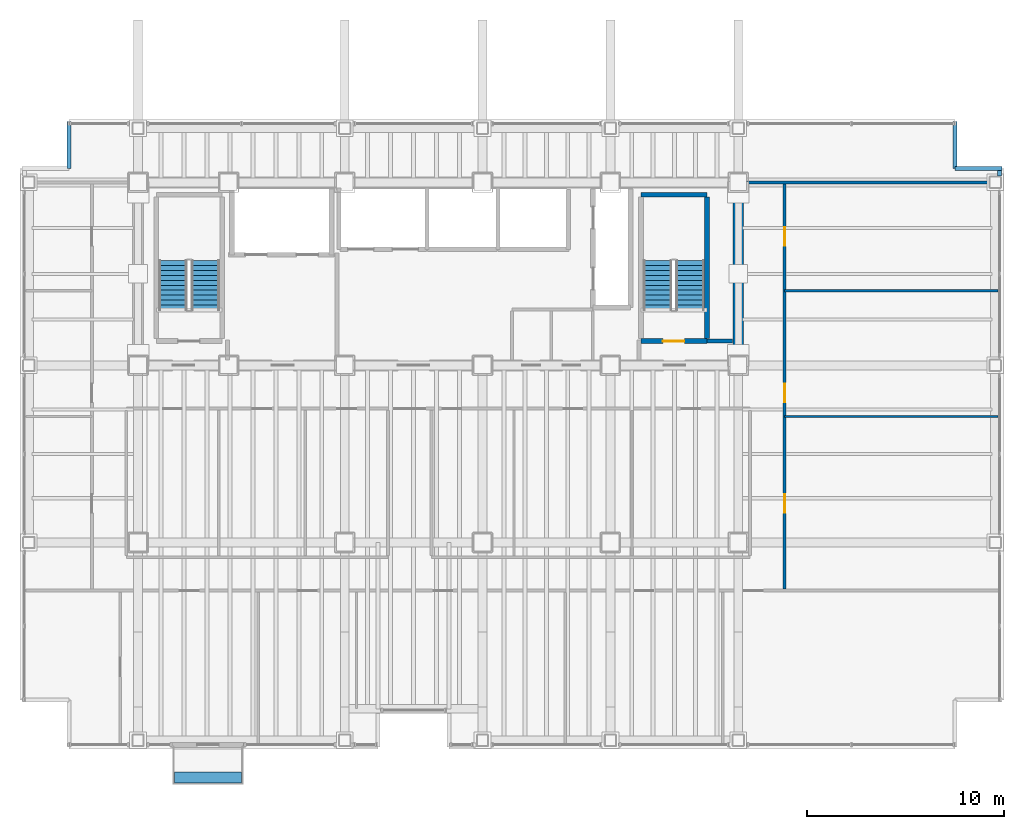
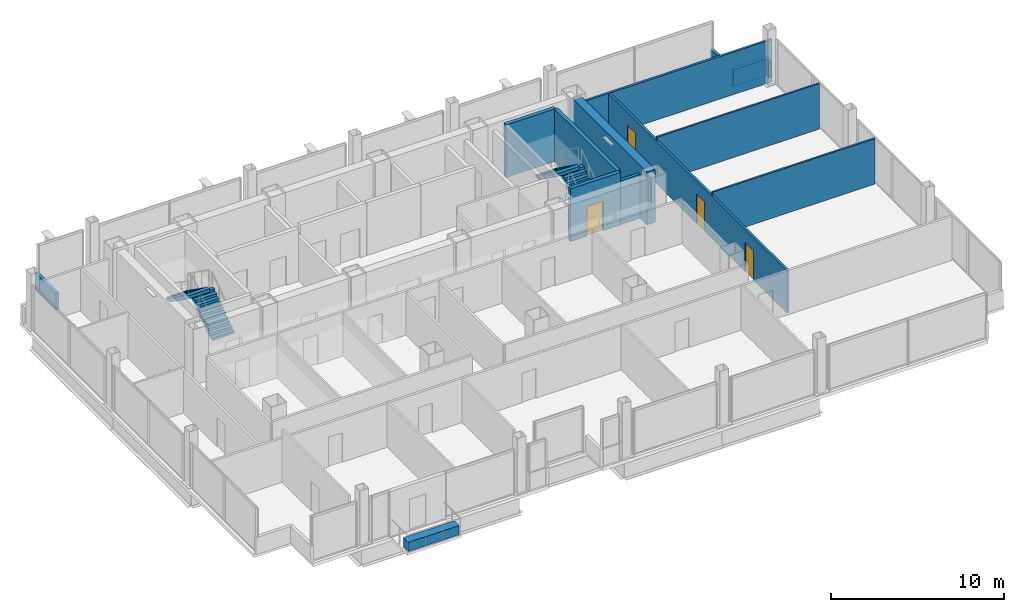
# One storey, part 20 of 21: 13 walls, 4 doors, 4 stair flights, 1 discrete accessory, 4 openings, 2 elements without a shape of their own.
"""IFC4 building model written with IfcOpenShell, lengths in metres."""

from ifc_helpers import new_model, si_unit, direction, frame, frame_2d, origin, origin_2d, place, context, subcontext, project, spatial, polyline, rectangle, outline, extrude, material, layer, layer_set, type_object, element, fill, aggregate, save


model = new_model("IFC4")

# Units and contexts
model_context = context("Model", 3, precision=1e-05, world=origin(), true_north=direction((0.0, 1.0)))
body_context = subcontext(model_context, "Body", "Model", "MODEL_VIEW")
ifc_project = project(units=[si_unit("LENGTHUNIT", "METRE"), si_unit("AREAUNIT", "SQUARE_METRE"), si_unit("VOLUMEUNIT", "CUBIC_METRE"), si_unit("PLANEANGLEUNIT", "RADIAN"), si_unit("MASSUNIT", "GRAM", prefix="KILO")], contexts=[model_context])

# Site, building, storey
site_placement = place(None, origin())
site = spatial("IfcSite", under=ifc_project, at=site_placement, CompositionType="ELEMENT")
building_placement = place(site_placement, origin())
building = spatial("IfcBuilding", under=site, at=building_placement, Name="Noeulbin Bourse Tower", CompositionType="ELEMENT")
storey_placement = place(building_placement, frame((0.0, 0.0, 81.10009765625)))
storey = spatial("IfcBuildingStorey", under=building, at=storey_placement, Name="L20", CompositionType="ELEMENT", Elevation=81.10009765625)

# Walls
ifc_material_1 = material(Name="Concrete C60/75", Category="concrete")
ifc_layer_1 = layer(ifc_material_1, 0.550048828125)
ifc_layer_set_1 = layer_set([ifc_layer_1], Name="Concrete C60/75")
wall_type_1 = type_object("IfcWallType", Name="WAL-CORE-550", PredefinedType="SHEAR", material=ifc_layer_set_1)
wall_1_placement = place(storey_placement, frame((44.0, 29.35009765625, 0.0), z_axis=(0.0, 0.0, 1.0), x_axis=(0.0, 1.0, 0.0)))
element("IfcWall", 1, at=wall_1_placement, inside=storey, type_object=wall_type_1, Name="Rear Core East Shear Wall L20", PredefinedType="SHEAR", context=body_context, shape_type="SweptSolid", body=[
    extrude(rectangle(XDim=8.599853515625, YDim=0.550048828125, at=frame_2d((4.2998046875, 0.0))), origin(), (0.0, 0.0, 1.0), 3.719970703125),
])
ifc_material_2 = material(Name="Concrete C40/50", Category="concrete")
ifc_layer_2 = layer(ifc_material_2, 0.199951171875)
ifc_layer_set_2 = layer_set([ifc_layer_2], Name="Concrete C40/50")
wall_type_2 = type_object("IfcWallType", Name="WAL-FIRE-200", PredefinedType="STANDARD", material=ifc_layer_set_2)
wall_2_placement = place(storey_placement, frame((42.39990234375, 30.239990234375, 0.0), z_axis=(0.0, 0.0, 1.0), x_axis=(1.0, 0.0, 0.0)))
element("IfcWall", 2, at=wall_2_placement, inside=storey, type_object=wall_type_2, Name="Interior Partition Wall L20-01", PredefinedType="STANDARD", context=body_context, shape_type="SweptSolid", body=[
    extrude(rectangle(XDim=1.315185546875, YDim=0.199951171875, at=frame_2d((0.65771484375, 0.0))), origin(), (0.0, 0.0, 1.0), 3.099853515625),
])
ifc_layer_3 = layer(ifc_material_2, 0.199951171875)
ifc_layer_set_3 = layer_set([ifc_layer_3], Name="Concrete C40/50")
wall_type_3 = type_object("IfcWallType", Name="WAL-PAR-200", PredefinedType="PARAPET", material=ifc_layer_set_3)
wall_3_placement = place(storey_placement, frame((57.280029296875, 38.6201171875, 0.0), z_axis=(0.0, 0.0, 1.0), x_axis=(0.0, 1.0, 0.0)))
element("IfcWall", 3, at=wall_3_placement, inside=storey, type_object=wall_type_3, Name="Perimeter Pier Spandrel Parapet L20-E2", PredefinedType="PARAPET", context=body_context, shape_type="SweptSolid", body=[
    extrude(rectangle(XDim=0.27978515625, YDim=0.199951171875, at=frame_2d((0.139892578125, 0.0))), origin(), (0.0, 0.0, 1.0), 1.199951171875),
])
for number, where, z_axis, x_axis, name in (
    (4, (10.0, 39.0, 0.0), (0.0, 0.0, 1.0), (0.0, 1.0, 0.0), "Corner Notch Parapet L20-NW2"),
    (5, (55.0, 41.39990234375, 0.0), (0.0, 0.0, 1.0), (0.0, -1.0, 0.0), "Corner Notch Parapet L20-NE1"),
    (6, (55.0, 39.0, 0.0), (0.0, 0.0, 1.0), (1.0, 0.0, 0.0), "Corner Notch Parapet L20-NE2"),
):
    element("IfcWall", number, at=place(storey_placement, frame(where, z_axis=z_axis, x_axis=x_axis)), inside=storey, type_object=wall_type_3, Name=name, PredefinedType="PARAPET", context=body_context, shape_type="SweptSolid", body=[
        extrude(rectangle(XDim=2.39990234375, YDim=0.199951171875, at=frame_2d((1.199951171875, 0.0))), origin(), (0.0, 0.0, 1.0), 1.199951171875),
    ])
ifc_material_3 = material(Name="Steel Stud Gypsum Partition", Category="steel")
ifc_layer_4 = layer(ifc_material_3, 0.1201171875)
ifc_layer_set_4 = layer_set([ifc_layer_4], Name="Steel Stud Gypsum Partition")
wall_type_4 = type_object("IfcWallType", Name="WAL-PRT-120", PredefinedType="PARTITIONING", material=ifc_layer_set_4)
for number, where, z_axis, x_axis, name in (
    (7, (46.35009765625, 26.39990234375, 0.0), (0.0, 0.0, 1.0), (1.0, 0.0, 0.0), "Interior Partition Wall L20-11"),
    (8, (46.35009765625, 32.800048828125, 0.0), (0.0, 0.0, 1.0), (1.0, 0.0, 0.0), "Interior Partition Wall L20-12"),
):
    element("IfcWall", number, at=place(storey_placement, frame(where, z_axis=z_axis, x_axis=x_axis)), inside=storey, type_object=wall_type_4, Name=name, PredefinedType="PARTITIONING", context=body_context, shape_type="SweptSolid", body=[
        extrude(rectangle(XDim=10.83984375, YDim=0.1201171875, at=frame_2d((5.419921875, 0.0))), origin(), (0.0, 0.0, 1.0), 3.2119140625),
    ])
ifc_material_4 = material(Name="Steel Stud Acoustic Gypsum Board", Category="steel")
ifc_layer_5 = layer(ifc_material_4, 0.14990234375)
ifc_layer_set_5 = layer_set([ifc_layer_5], Name="Steel Stud Acoustic Gypsum Board")
wall_type_5 = type_object("IfcWallType", Name="WAL-PRT-150", PredefinedType="PARTITIONING", material=ifc_layer_set_5)
wall_4_placement = place(storey_placement, frame((44.0, 38.300048828125, 0.0), z_axis=(0.0, 0.0, 1.0), x_axis=(1.0, 0.0, 0.0)))
element("IfcWall", 9, at=wall_4_placement, inside=storey, type_object=wall_type_5, Name="Interior Partition Wall L20-08", PredefinedType="PARTITIONING", context=body_context, shape_type="SweptSolid", body=[
    extrude(rectangle(XDim=13.18994140625, YDim=0.14990234375, at=frame_2d((6.594970703125, 0.0))), origin(), (0.0, 0.0, 1.0), 3.0),
])

# Wall, openings, doors
wall_5_placement = place(storey_placement, frame((46.35009765625, 17.635009765625, 0.0), z_axis=(0.0, 0.0, 1.0), x_axis=(0.0, 1.0, 0.0)))
wall_5 = element("IfcWall", 10, at=wall_5_placement, inside=storey, type_object=wall_type_5, Name="Interior Partition Wall L20-23", PredefinedType="PARTITIONING", context=body_context, shape_type="SweptSolid", body=[
    extrude(rectangle(XDim=20.580078125, YDim=0.14990234375, at=frame_2d((10.2900390625, 0.0))), origin(), (0.0, 0.0, 1.0), 3.0),
])
opening_1_placement = place(wall_5_placement, frame((3.864990234375, 0.0, 0.0)))
opening_1 = element("IfcOpeningElement", 11, at=opening_1_placement, cuts=wall_5, Name="Opening ID-09", PredefinedType="OPENING", context=body_context, shape_type="SweptSolid", body=[
    extrude(rectangle(XDim=0.949951171875, YDim=2.080078125, at=frame_2d((0.47509765625, 1.0400390625))), frame((0.0, 0.0849609375, 0.0), z_axis=(0.0, -1.0, 0.0), x_axis=(1.0, 0.0, 0.0)), (0.0, 0.0, 1.0), 0.169921875),
])
opening_2_placement = place(wall_5_placement, frame((9.489990234375, 0.0, 0.0)))
opening_2 = element("IfcOpeningElement", 12, at=opening_2_placement, cuts=wall_5, Name="Opening ID-09", PredefinedType="OPENING", context=body_context, shape_type="SweptSolid", body=[
    extrude(rectangle(XDim=0.949951171875, YDim=2.080078125, at=frame_2d((0.47509765625, 1.0400390625))), frame((0.0, 0.0849609375, 0.0), z_axis=(0.0, -1.0, 0.0), x_axis=(1.0, 0.0, 0.0)), (0.0, 0.0, 1.0), 0.169921875),
])
opening_3_placement = place(wall_5_placement, frame((17.43994140625, 0.0, 0.0)))
opening_3 = element("IfcOpeningElement", 13, at=opening_3_placement, cuts=wall_5, Name="Opening ID-09", PredefinedType="OPENING", context=body_context, shape_type="SweptSolid", body=[
    extrude(rectangle(XDim=0.949951171875, YDim=2.080078125, at=frame_2d((0.47509765625, 1.0400390625))), frame((0.0, 0.0849609375, 0.0), z_axis=(0.0, -1.0, 0.0), x_axis=(1.0, 0.0, 0.0)), (0.0, 0.0, 1.0), 0.169921875),
])
ifc_material_5 = material(Name="Acoustic Solid-Core Timber", Category="wood")
door_type_1 = type_object("IfcDoorType", Name="DR-SINGLE-950", OperationType="SINGLE_SWING_LEFT", PredefinedType="DOOR", material=ifc_material_5)
door_1_placement = place(opening_1_placement, origin())
door_1 = element("IfcDoor", 14, at=door_1_placement, inside=storey, type_object=door_type_1, Name="Interior Door L20-23", OperationType="SINGLE_SWING_LEFT", OverallHeight=2.080078125, OverallWidth=0.949951171875, PredefinedType="DOOR", context=body_context, shape_type="SweptSolid", body=[
    extrude(rectangle(XDim=0.949951171875, YDim=2.080078125, at=frame_2d((0.47509765625, 1.0400390625))), frame((0.0, 0.02490234375, 0.0), z_axis=(0.0, -1.0, 0.0), x_axis=(1.0, 0.0, 0.0)), (0.0, 0.0, 1.0), 0.050048828125),
])
fill(opening_1, door_1)
door_2_placement = place(opening_2_placement, origin())
door_2 = element("IfcDoor", 15, at=door_2_placement, inside=storey, type_object=door_type_1, Name="Interior Door L20-24", OperationType="SINGLE_SWING_RIGHT", OverallHeight=2.080078125, OverallWidth=0.949951171875, PredefinedType="DOOR", context=body_context, shape_type="SweptSolid", body=[
    extrude(rectangle(XDim=0.949951171875, YDim=2.080078125, at=frame_2d((0.47509765625, 1.0400390625))), frame((0.0, 0.02490234375, 0.0), z_axis=(0.0, -1.0, 0.0), x_axis=(1.0, 0.0, 0.0)), (0.0, 0.0, 1.0), 0.050048828125),
])
fill(opening_2, door_2)
door_3_placement = place(opening_3_placement, origin())
door_3 = element("IfcDoor", 16, at=door_3_placement, inside=storey, type_object=door_type_1, Name="Interior Door L20-25", OperationType="SINGLE_SWING_LEFT", OverallHeight=2.080078125, OverallWidth=0.949951171875, PredefinedType="DOOR", context=body_context, shape_type="SweptSolid", body=[
    extrude(rectangle(XDim=0.949951171875, YDim=2.080078125, at=frame_2d((0.47509765625, 1.0400390625))), frame((0.0, 0.02490234375, 0.0), z_axis=(0.0, -1.0, 0.0), x_axis=(1.0, 0.0, 0.0)), (0.0, 0.0, 1.0), 0.050048828125),
])
fill(opening_3, door_3)

# Wall, opening, door
ifc_layer_6 = layer(ifc_material_2, 0.25)
ifc_layer_set_6 = layer_set([ifc_layer_6], Name="Concrete C40/50")
wall_type_6 = type_object("IfcWallType", Name="WAL-SHFT-250", PredefinedType="STANDARD", material=ifc_layer_set_6)
wall_6_placement = place(storey_placement, frame((39.06005859375, 30.235107421875, 0.0), z_axis=(0.0, 0.0, 1.0), x_axis=(1.0, 0.0, 0.0)))
wall_6 = element("IfcWall", 17, at=wall_6_placement, inside=storey, type_object=wall_type_6, Name="Stair ST-2 South Shaft Wall L20", PredefinedType="STANDARD", context=body_context, shape_type="SweptSolid", body=[
    extrude(rectangle(XDim=3.33984375, YDim=0.25, at=frame_2d((1.669921875, 0.0))), origin(), (0.0, 0.0, 1.0), 3.719970703125),
])
opening_4_placement = place(wall_6_placement, frame((1.10009765625, 0.0, 0.0)))
opening_4 = element("IfcOpeningElement", 18, at=opening_4_placement, cuts=wall_6, Name="Opening FD-11", PredefinedType="OPENING", context=body_context, shape_type="SweptSolid", body=[
    extrude(rectangle(XDim=1.10009765625, YDim=2.080078125, at=frame_2d((0.550048828125, 1.0400390625))), frame((0.0, 0.135009765625, 0.0), z_axis=(0.0, -1.0, 0.0), x_axis=(1.0, 0.0, 0.0)), (0.0, 0.0, 1.0), 0.27001953125),
])
ifc_material_6 = material(Name="Fire-Rated Insulated Steel", Category="steel")
door_type_2 = type_object("IfcDoorType", Name="DR-FD60-1100", OperationType="SINGLE_SWING_LEFT", PredefinedType="DOOR", material=ifc_material_6)
door_4_placement = place(opening_4_placement, origin())
door_4 = element("IfcDoor", 19, at=door_4_placement, inside=storey, type_object=door_type_2, Name="Protected Stair Entry Door ST2-L20", OperationType="SINGLE_SWING_RIGHT", OverallHeight=2.080078125, OverallWidth=1.10009765625, PredefinedType="DOOR", context=body_context, shape_type="SweptSolid", body=[
    extrude(rectangle(XDim=1.10009765625, YDim=2.080078125, at=frame_2d((0.550048828125, 1.0400390625))), frame((0.0, 0.02490234375, 0.0), z_axis=(0.0, -1.0, 0.0), x_axis=(1.0, 0.0, 0.0)), (0.0, 0.0, 1.0), 0.050048828125),
])
fill(opening_4, door_4)

# Walls
wall_7_placement = place(storey_placement, frame((39.06005859375, 37.6689453125, 0.0), z_axis=(0.0, 0.0, 1.0), x_axis=(1.0, 0.0, 0.0)))
element("IfcWall", 20, at=wall_7_placement, inside=storey, type_object=wall_type_6, Name="Stair ST-2 North Shaft Wall L20", PredefinedType="STANDARD", context=body_context, shape_type="SweptSolid", body=[
    extrude(rectangle(XDim=3.33984375, YDim=0.25, at=frame_2d((1.669921875, 0.0))), origin(), (0.0, 0.0, 1.0), 3.719970703125),
])
wall_8_placement = place(storey_placement, frame((42.405029296875, 30.360107421875, 0.0), z_axis=(0.0, 0.0, 1.0), x_axis=(0.0, 1.0, 0.0)))
element("IfcWall", 21, at=wall_8_placement, inside=storey, type_object=wall_type_6, Name="Stair ST-2 East Shaft Wall L20", PredefinedType="STANDARD", context=body_context, shape_type="SweptSolid", body=[
    extrude(rectangle(XDim=7.183837890625, YDim=0.25, at=frame_2d((3.591796875, 0.0))), origin(), (0.0, 0.0, 1.0), 3.719970703125),
])

# Stair, stair flights
stair_type = type_object("IfcStairType", Name="STR-CORE-1560", PredefinedType="HALF_TURN_STAIR", material=ifc_material_2)
stair_1_placement = place(storey_placement, origin())
stair_1 = element("IfcStair", 22, at=stair_1_placement, inside=storey, type_object=stair_type, Name="L20 ST-1", PredefinedType="HALF_TURN_STAIR")
stair_flight_type = type_object("IfcStairFlightType", Name="SFL-CORE-1560", PredefinedType="STRAIGHT", material=ifc_material_2)
stair_flight_1_placement = place(storey_placement, frame((16.925048828125, 31.81005859375, 0.0), z_axis=(0.0, 0.0, 1.0), x_axis=(0.0, 1.0, 0.0)))
stair_flight_1 = element("IfcStairFlight", 23, at=stair_flight_1_placement, type_object=stair_flight_type, Name="ST-1 flight 1", NumberOfRisers=11, NumberOfTreads=10, PredefinedType="STRAIGHT", RiserHeight=0.177272727, TreadLength=0.252, context=body_context, shape_type="SweptSolid", body=[
    extrude(outline(polyline([(0.0, 0.0), (0.0, 0.17724609375), (0.251953125, 0.17724609375), (0.251953125, 0.3544921875), (0.50390625, 0.3544921875), (0.50390625, 0.53173828125), (0.756103515625, 0.53173828125), (0.756103515625, 0.708984375), (1.008056640625, 0.708984375), (1.008056640625, 0.886474609375), (1.260009765625, 0.886474609375), (1.260009765625, 1.063720703125), (1.511962890625, 1.063720703125), (1.511962890625, 1.240966796875), (1.763916015625, 1.240966796875), (1.763916015625, 1.418212890625), (2.01611328125, 1.418212890625), (2.01611328125, 1.595458984375), (2.26806640625, 1.595458984375), (2.26806640625, 1.772705078125), (2.52001953125, 1.772705078125), (2.52001953125, 1.949951171875), (2.52001953125, 1.552734375), (0.312744140625, 0.0), (0.0, 0.0)])), frame((0.0, 0.72509765625, 0.0), z_axis=(0.0, -1.0, 0.0), x_axis=(1.0, 0.0, 0.0)), (0.0, 0.0, 1.0), 1.449951171875),
])
stair_flight_2_placement = place(storey_placement, frame((15.27490234375, 34.330078125, 1.949951171875), z_axis=(0.0, 0.0, 1.0), x_axis=(0.0, -1.0, 0.0)))
stair_flight_2 = element("IfcStairFlight", 24, at=stair_flight_2_placement, type_object=stair_flight_type, Name="ST-1 flight 2", NumberOfRisers=11, NumberOfTreads=10, PredefinedType="STRAIGHT", RiserHeight=0.177272727, TreadLength=0.252, context=body_context, shape_type="SweptSolid", body=[
    extrude(outline(polyline([(0.0, 0.0), (0.0, 0.17724609375), (0.251953125, 0.17724609375), (0.251953125, 0.3544921875), (0.50390625, 0.3544921875), (0.50390625, 0.53173828125), (0.756103515625, 0.53173828125), (0.756103515625, 0.708984375), (1.008056640625, 0.708984375), (1.008056640625, 0.886474609375), (1.260009765625, 0.886474609375), (1.260009765625, 1.063720703125), (1.511962890625, 1.063720703125), (1.511962890625, 1.240966796875), (1.763916015625, 1.240966796875), (1.763916015625, 1.418212890625), (2.01611328125, 1.418212890625), (2.01611328125, 1.595458984375), (2.26806640625, 1.595458984375), (2.26806640625, 1.772705078125), (2.52001953125, 1.772705078125), (2.52001953125, 1.949951171875), (2.52001953125, 1.552734375), (0.312744140625, 0.0), (0.0, 0.0)])), frame((0.0, 0.72509765625, 0.0), z_axis=(0.0, -1.0, 0.0), x_axis=(1.0, 0.0, 0.0)), (0.0, 0.0, 1.0), 1.449951171875),
])
aggregate(stair_1, [stair_flight_1, stair_flight_2])

stair_2_placement = place(storey_placement, origin())
stair_2 = element("IfcStair", 25, at=stair_2_placement, inside=storey, type_object=stair_type, Name="L20 ST-2", PredefinedType="HALF_TURN_STAIR")
stair_flight_3_placement = place(storey_placement, frame((41.554931640625, 31.81005859375, 0.0), z_axis=(0.0, 0.0, 1.0), x_axis=(0.0, 1.0, 0.0)))
stair_flight_3 = element("IfcStairFlight", 26, at=stair_flight_3_placement, type_object=stair_flight_type, Name="ST-2 flight 1", NumberOfRisers=11, NumberOfTreads=10, PredefinedType="STRAIGHT", RiserHeight=0.177272727, TreadLength=0.252, context=body_context, shape_type="SweptSolid", body=[
    extrude(outline(polyline([(0.0, 0.0), (0.0, 0.17724609375), (0.251953125, 0.17724609375), (0.251953125, 0.3544921875), (0.50390625, 0.3544921875), (0.50390625, 0.53173828125), (0.756103515625, 0.53173828125), (0.756103515625, 0.708984375), (1.008056640625, 0.708984375), (1.008056640625, 0.886474609375), (1.260009765625, 0.886474609375), (1.260009765625, 1.063720703125), (1.511962890625, 1.063720703125), (1.511962890625, 1.240966796875), (1.763916015625, 1.240966796875), (1.763916015625, 1.418212890625), (2.01611328125, 1.418212890625), (2.01611328125, 1.595458984375), (2.26806640625, 1.595458984375), (2.26806640625, 1.772705078125), (2.52001953125, 1.772705078125), (2.52001953125, 1.949951171875), (2.52001953125, 1.552734375), (0.312744140625, 0.0), (0.0, 0.0)])), frame((0.0, 0.72509765625, 0.0), z_axis=(0.0, -1.0, 0.0), x_axis=(1.0, 0.0, 0.0)), (0.0, 0.0, 1.0), 1.449951171875),
])
stair_flight_4_placement = place(storey_placement, frame((39.905029296875, 34.330078125, 1.949951171875), z_axis=(0.0, 0.0, 1.0), x_axis=(0.0, -1.0, 0.0)))
stair_flight_4 = element("IfcStairFlight", 27, at=stair_flight_4_placement, type_object=stair_flight_type, Name="ST-2 flight 2", NumberOfRisers=11, NumberOfTreads=10, PredefinedType="STRAIGHT", RiserHeight=0.177272727, TreadLength=0.252, context=body_context, shape_type="SweptSolid", body=[
    extrude(outline(polyline([(0.0, 0.0), (0.0, 0.17724609375), (0.251953125, 0.17724609375), (0.251953125, 0.3544921875), (0.50390625, 0.3544921875), (0.50390625, 0.53173828125), (0.756103515625, 0.53173828125), (0.756103515625, 0.708984375), (1.008056640625, 0.708984375), (1.008056640625, 0.886474609375), (1.260009765625, 0.886474609375), (1.260009765625, 1.063720703125), (1.511962890625, 1.063720703125), (1.511962890625, 1.240966796875), (1.763916015625, 1.240966796875), (1.763916015625, 1.418212890625), (2.01611328125, 1.418212890625), (2.01611328125, 1.595458984375), (2.26806640625, 1.595458984375), (2.26806640625, 1.772705078125), (2.52001953125, 1.772705078125), (2.52001953125, 1.949951171875), (2.52001953125, 1.552734375), (0.312744140625, 0.0), (0.0, 0.0)])), frame((0.0, 0.72509765625, 0.0), z_axis=(0.0, -1.0, 0.0), x_axis=(1.0, 0.0, 0.0)), (0.0, 0.0, 1.0), 1.449951171875),
])
aggregate(stair_2, [stair_flight_3, stair_flight_4])

# Discrete accessory
ifc_material_7 = material(Name="Architectural GFRC Concrete C40/50", Category="concrete")
ifc_layer_7 = layer(ifc_material_7, 0.64990234375)
ifc_layer_set_7 = layer_set([ifc_layer_7], Name="Architectural GFRC Concrete C40/50")
discrete_accessory_type = type_object("IfcDiscreteAccessoryType", Name="PLANTER-BOX-3600", PredefinedType="USERDEFINED", material=ifc_layer_set_7)
discrete_accessory_placement = place(storey_placement, frame((17.050048828125, 8.06005859375, 0.0), z_axis=(0.0, 0.0, 1.0), x_axis=(1.0, 0.0, 0.0)))
element("IfcDiscreteAccessory", 28, at=discrete_accessory_placement, inside=storey, type_object=discrete_accessory_type, Name="Integrated Balcony Tree Planter Box L20", ObjectType="PLANTER", PredefinedType="USERDEFINED", context=body_context, shape_type="SweptSolid", body=[
    extrude(rectangle(XDim=3.39990234375, YDim=0.550048828125, at=origin_2d()), origin(), (0.0, 0.0, 1.0), 0.64990234375),
])

save(model, "model.ifc")
